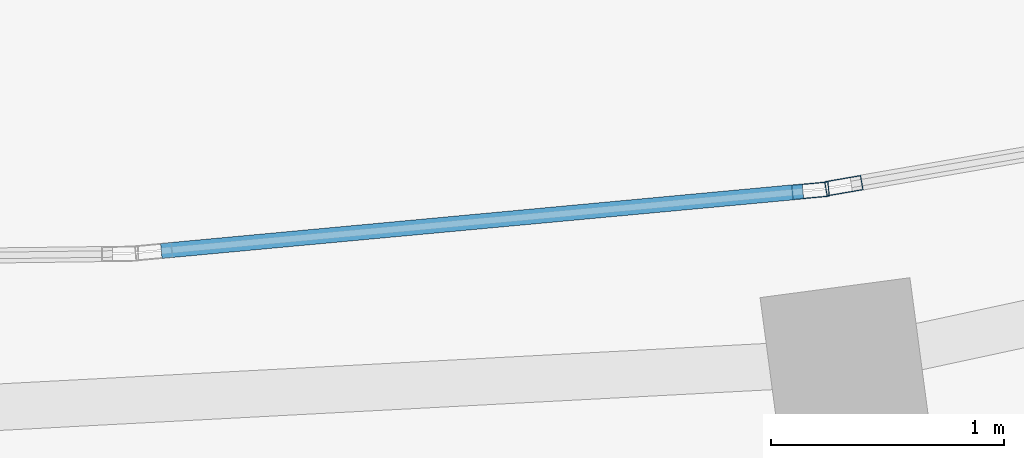
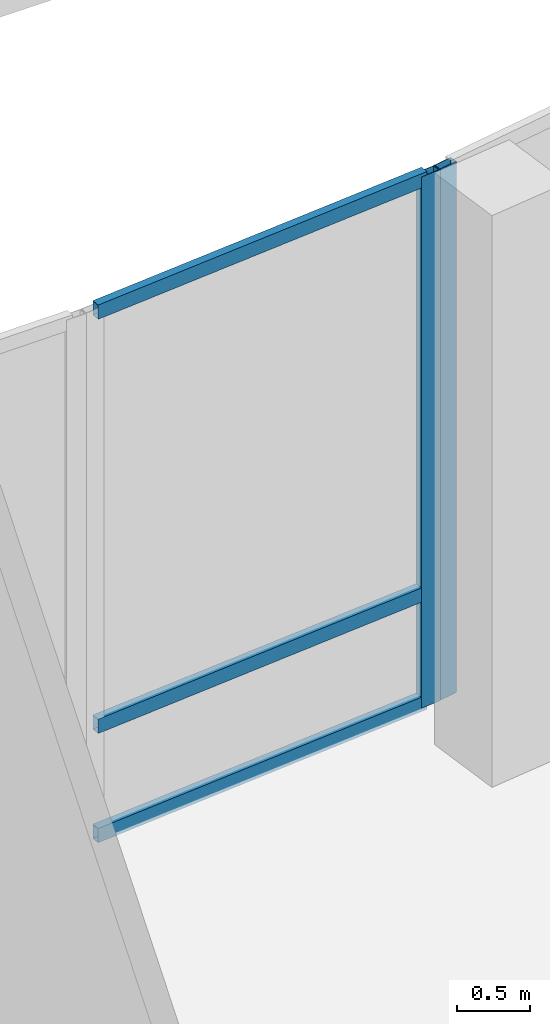
# One storey, part 32 of 155: 5 members, 2 elements without a shape of their own.
"""IFC4 building model written with IfcOpenShell, lengths in metres."""

from ifc_helpers import new_model, si_unit, direction, frame, origin, origin_2d, place, context, subcontext, project, spatial, hollow_rectangle, extrude, material, material_profile, profile_set, type_object, element, aggregate, save


model = new_model("IFC4")

# Units and contexts
model_context = context("Model", 3, precision=1e-05, world=origin(), true_north=direction((0.0, 1.0)))
body_context = subcontext(model_context, "Body", "Model", "MODEL_VIEW")
ifc_project = project(units=[si_unit("LENGTHUNIT", "METRE"), si_unit("AREAUNIT", "SQUARE_METRE"), si_unit("VOLUMEUNIT", "CUBIC_METRE"), si_unit("PLANEANGLEUNIT", "RADIAN"), si_unit("MASSUNIT", "GRAM", prefix="KILO")], contexts=[model_context])

# Site, building, storey
site_placement = place(None, origin())
site = spatial("IfcSite", under=ifc_project, at=site_placement, CompositionType="ELEMENT")
building_placement = place(site_placement, origin())
building = spatial("IfcBuilding", under=site, at=building_placement, Name="Selatvlak General Hospital", CompositionType="ELEMENT")
storey_placement = place(building_placement, frame((0.0, 0.0, 10.199951171875)))
storey = spatial("IfcBuildingStorey", under=building, at=storey_placement, Name="L02", CompositionType="ELEMENT", Elevation=10.199951171875)

# Curtain wall, member
ifc_material_1 = material(Name="Solar-control Low-E double glazing", Category="glass")
curtain_wall_type_1 = type_object("IfcCurtainWallType", Name="CW-CW-02", PredefinedType="USERDEFINED", material=ifc_material_1)
curtain_wall_1_placement = place(storey_placement, origin())
curtain_wall_1 = element("IfcCurtainWall", 1, at=curtain_wall_1_placement, inside=storey, type_object=curtain_wall_type_1, Name="Glazed facade curtain wall CW-L02-0330", ObjectType="UNITISED CURTAIN WALL", PredefinedType="USERDEFINED")
ifc_material_2 = material(Name="Dark anodised aluminium mullion", Category="aluminium")
ifc_material_profile_1 = material_profile(ifc_material_2, hollow_rectangle(XDim=0.06494140625, YDim=0.159912109375, WallThickness=0.00390625, at=origin_2d()), Name="AL-MUL 65x160x4")
ifc_profile_set_1 = profile_set([ifc_material_profile_1], Name="Dark anodised aluminium mullion")
member_type_1 = type_object("IfcMemberType", Name="CWM-01", PredefinedType="MULLION", material=ifc_profile_set_1)
member_1_placement = place(storey_placement, frame((60.88671875, 42.322021484375, 0.0), z_axis=(0.0, 0.0, 1.0), x_axis=(-0.092369074668, 0.99572483852, 0.0)))
member_1 = element("IfcMember", 2, at=member_1_placement, type_object=member_type_1, Name="CW-02 mullion 2", PredefinedType="MULLION", context=body_context, shape_type="SweptSolid", body=[
    extrude(hollow_rectangle(XDim=0.06494140625, YDim=0.159912109375, WallThickness=0.00390625, at=origin_2d()), origin(), (0.0, 0.0, 1.0), 4.4599609375),
])

curtain_wall_type_2 = type_object("IfcCurtainWallType", Name="CW-CW-01", PredefinedType="USERDEFINED", material=ifc_material_1)
curtain_wall_2_placement = place(storey_placement, origin())
curtain_wall_2 = element("IfcCurtainWall", 3, at=curtain_wall_2_placement, inside=storey, type_object=curtain_wall_type_2, Name="Glazed facade curtain wall CW-L02-0331", ObjectType="UNITISED CURTAIN WALL", PredefinedType="USERDEFINED")
member_2_placement = place(storey_placement, frame((61.030029296875, 42.343505859375, 0.0), z_axis=(0.0, 0.0, 1.0), x_axis=(-0.170657302344, 0.985330444651, 0.0)))
member_2 = element("IfcMember", 4, at=member_2_placement, type_object=member_type_1, Name="CW-01 mullion 1", PredefinedType="MULLION", context=body_context, shape_type="SweptSolid", body=[
    extrude(hollow_rectangle(XDim=0.06494140625, YDim=0.159912109375, WallThickness=0.00390625, at=origin_2d()), origin(), (0.0, 0.0, 1.0), 4.4599609375),
])
aggregate(curtain_wall_2, [member_2])

# Member
ifc_material_profile_2 = material_profile(ifc_material_2, hollow_rectangle(XDim=0.06494140625, YDim=0.1201171875, WallThickness=0.00390625, at=origin_2d()), Name="AL-TRN 65x120x4")
ifc_profile_set_2 = profile_set([ifc_material_profile_2], Name="Dark anodised aluminium mullion")
member_type_2 = type_object("IfcMemberType", Name="CWT-01", PredefinedType="USERDEFINED", material=ifc_profile_set_2)
member_3_placement = place(storey_placement, frame((58.0947265625, 42.06298828125, 0.032470703125), z_axis=(0.995721031907, 0.092410100192, 0.0), x_axis=(-0.092410100192, 0.995721031907, 0.0)))
member_3 = element("IfcMember", 5, at=member_3_placement, type_object=member_type_2, Name="CW-02 transom 1.1", ObjectType="TRANSOM", PredefinedType="USERDEFINED", context=body_context, shape_type="SweptSolid", body=[
    extrude(hollow_rectangle(XDim=0.06494140625, YDim=0.1201171875, WallThickness=0.00390625, at=origin_2d()), origin(), (0.0, 0.0, 1.0), 2.771484375),
])

member_4_placement = place(storey_placement, frame((58.0947265625, 42.06298828125, 0.949951171875), z_axis=(0.995721031907, 0.092410100192, 0.0), x_axis=(-0.092410100192, 0.995721031907, 0.0)))
member_4 = element("IfcMember", 6, at=member_4_placement, type_object=member_type_2, Name="CW-02 transom 1.2", ObjectType="TRANSOM", PredefinedType="USERDEFINED", context=body_context, shape_type="SweptSolid", body=[
    extrude(hollow_rectangle(XDim=0.06494140625, YDim=0.1201171875, WallThickness=0.00390625, at=origin_2d()), origin(), (0.0, 0.0, 1.0), 2.771484375),
])

member_5_placement = place(storey_placement, frame((58.0947265625, 42.06298828125, 4.427490234375), z_axis=(0.995721031907, 0.092410100192, 0.0), x_axis=(-0.092410100192, 0.995721031907, 0.0)))
member_5 = element("IfcMember", 7, at=member_5_placement, type_object=member_type_2, Name="CW-02 transom 1.3", ObjectType="TRANSOM", PredefinedType="USERDEFINED", context=body_context, shape_type="SweptSolid", body=[
    extrude(hollow_rectangle(XDim=0.06494140625, YDim=0.1201171875, WallThickness=0.00390625, at=origin_2d()), origin(), (0.0, 0.0, 1.0), 2.771484375),
])

aggregate(curtain_wall_1, [member_1, member_3, member_4, member_5])

save(model, "model.ifc")
